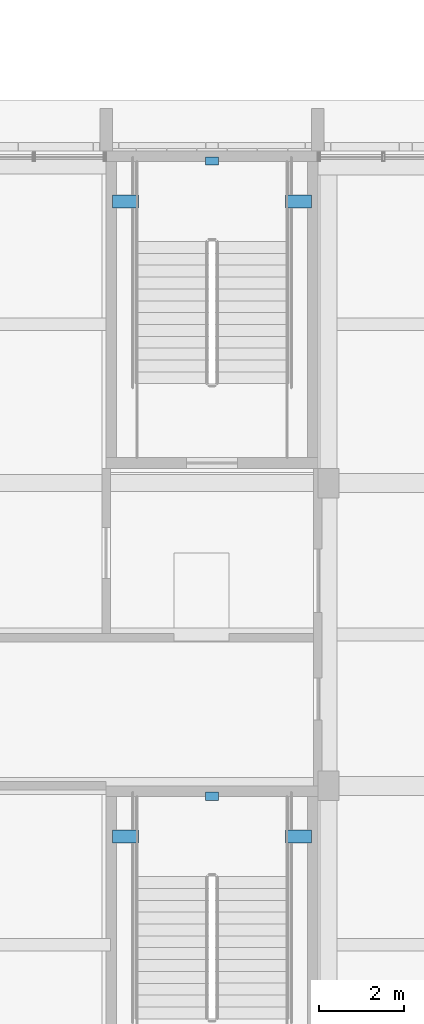
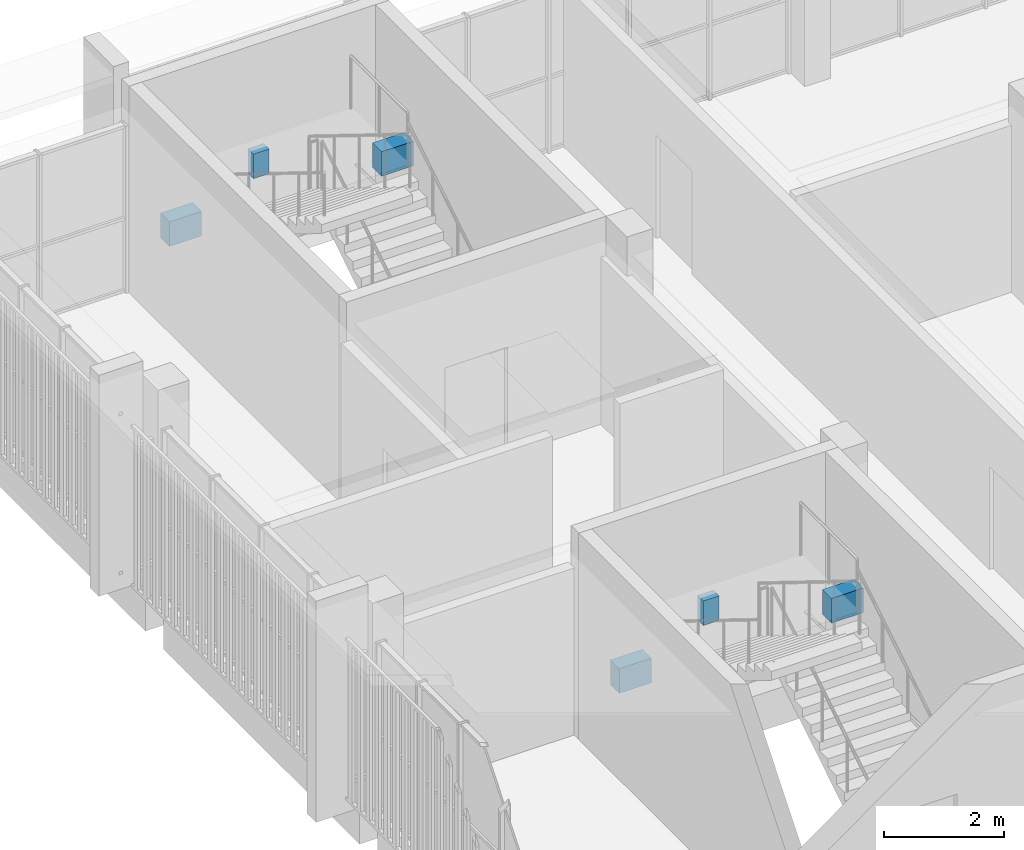
# One storey, part 42 of 98: 6 beams.
"""IFC4 building model written with IfcOpenShell, lengths in metres."""

import ifcopenshell
import ifcopenshell.guid

model = None  # the IFC model being written
_history = None  # IfcOwnerHistory: only IFC2X3 demands one
_inside = {}  # id of a spatial element -> (the spatial element, [elements in it])
_under = {}  # id of a project, library or spatial element -> (it, [spatial elements below it])
_declared = {}  # id of a project -> (the project, [libraries it declares])
_typed = {}  # id of a type object -> (the type object, [elements of that type])
_made_of = {}  # id of a material, layer set ... -> (it, [elements and type objects made of it])


def new_model(schema):
    """Start an empty IFC model of exactly this schema.

    Asked for "IFC4X3", IfcOpenShell would pick the latest addendum, in which some entities
    have other attributes; the version numbers below select the first issue.
    IFC2X3 requires an IfcOwnerHistory on every rooted entity: one is made here for all.
    """
    global model, _history
    if schema == "IFC4X3":
        model = ifcopenshell.file(schema_version=(4, 3, 0, 0))
    else:
        model = ifcopenshell.file(schema=schema)
    _inside.clear()
    _under.clear()
    _declared.clear()
    _typed.clear()
    _made_of.clear()
    _history = None
    if model.schema == "IFC2X3":
        org = make("IfcOrganization", Name="unknown")
        user = make(
            "IfcPersonAndOrganization",
            ThePerson=make("IfcPerson", FamilyName="unknown"),
            TheOrganization=org,
        )
        app = make(
            "IfcApplication",
            ApplicationDeveloper=org,
            Version="unknown",
            ApplicationFullName="unknown",
            ApplicationIdentifier="unknown",
        )
        _history = make(
            "IfcOwnerHistory",
            OwningUser=user,
            OwningApplication=app,
            ChangeAction="ADDED",
            CreationDate=0,
        )
    return model


def make(cls, **values):
    """One entity of the class cls with the attributes given. An attribute that is None is left unset."""
    return model.create_entity(
        cls, **{name: value for name, value in values.items() if value is not None}
    )


def rooted(cls, **values):
    """An entity with a GlobalId (a new one), such as an element, a storey or a relation."""
    return make(cls, GlobalId=ifcopenshell.guid.new(), OwnerHistory=_history, **values)


def si_unit(unit_type, name, prefix=None):
    """IfcSIUnit, for example si_unit("LENGTHUNIT", "METRE", prefix="MILLI")."""
    return make("IfcSIUnit", UnitType=unit_type, Prefix=prefix, Name=name)


def assignment(units):
    """IfcUnitAssignment: the units of a project."""
    return None if units is None else make("IfcUnitAssignment", Units=units)


def point(xyz):
    """IfcCartesianPoint."""
    return None if xyz is None else make("IfcCartesianPoint", Coordinates=xyz)


def direction(xyz):
    """IfcDirection."""
    return None if xyz is None else make("IfcDirection", DirectionRatios=xyz)


def frame(location, z_axis=None, x_axis=None):
    """IfcAxis2Placement3D, a coordinate frame: its origin and axes. An axis left out is left unset."""
    return make(
        "IfcAxis2Placement3D",
        Location=point(location),
        Axis=direction(z_axis),
        RefDirection=direction(x_axis),
    )


def frame_2d(location, x_axis=None):
    """IfcAxis2Placement2D, a coordinate frame in the plane: its origin and x axis."""
    return make(
        "IfcAxis2Placement2D", Location=point(location), RefDirection=direction(x_axis)
    )


def origin():
    """The frame at (0, 0, 0) with its axes left unset."""
    return frame((0.0, 0.0, 0.0))


def origin_2d():
    """The frame at (0, 0) in the plane with its x axis left unset."""
    return frame_2d((0.0, 0.0))


def place(relative_to, where):
    """IfcLocalPlacement: puts the frame where relative to a parent placement (None: the world)."""
    return make(
        "IfcLocalPlacement", PlacementRelTo=relative_to, RelativePlacement=where
    )


def context(
    kind, dimensions, precision=None, world=None, true_north=None, identifier=None
):
    """IfcGeometricRepresentationContext, for example the 3D "Model" context."""
    return make(
        "IfcGeometricRepresentationContext",
        ContextIdentifier=identifier,
        ContextType=kind,
        CoordinateSpaceDimension=dimensions,
        Precision=precision,
        WorldCoordinateSystem=world,
        TrueNorth=true_north,
    )


def subcontext(parent, identifier, kind, view, scale=None):
    """IfcGeometricRepresentationSubContext, for example "Body" below "Model"."""
    return make(
        "IfcGeometricRepresentationSubContext",
        ContextIdentifier=identifier,
        ContextType=kind,
        ParentContext=parent,
        TargetScale=scale,
        TargetView=view,
    )


def project(units=None, contexts=None):
    """IfcProject with its units and contexts."""
    return rooted(
        "IfcProject",
        Name="project",
        RepresentationContexts=contexts,
        UnitsInContext=assignment(units),
    )


def spatial(cls, under=None, at=None, **own):
    """A site, building, storey or space (cls), placed at a placement, below another one or the project."""
    s = rooted(cls, ObjectPlacement=at, **own)
    if under is not None:
        _under.setdefault(under.id(), (under, []))[1].append(s)
    return s


def profile(cls, at=None, kind="AREA", **sizes):
    """A parametric profile (cls). Its sizes go by their IFC names, for example OverallWidth=200.0."""
    return make(cls, ProfileType=kind, Position=at, **sizes)


def rectangle(**sizes):
    """IfcRectangleProfileDef."""
    return profile("IfcRectangleProfileDef", **sizes)


def extrude(swept, where, along, depth):
    """IfcExtrudedAreaSolid: the profile swept, set in the frame where, extruded along a direction by depth."""
    return make(
        "IfcExtrudedAreaSolid",
        SweptArea=swept,
        Position=where,
        ExtrudedDirection=direction(along),
        Depth=depth,
    )


def shape(context_of_items, identifier, shape_type, items):
    """IfcShapeRepresentation: the items that make up one representation, for example the "Body"."""
    return make(
        "IfcShapeRepresentation",
        ContextOfItems=context_of_items,
        RepresentationIdentifier=identifier,
        RepresentationType=shape_type,
        Items=items,
    )


def material(Name=None, Category=None):
    """IfcMaterial."""
    return make("IfcMaterial", Name=Name, Category=Category)


def material_profile(
    of_material, cross_section, Name=None, Category=None, Priority=None
):
    """IfcMaterialProfile: a cross section and its material."""
    return make(
        "IfcMaterialProfile",
        Name=Name,
        Material=of_material,
        Profile=cross_section,
        Priority=Priority,
        Category=Category,
    )


def profile_set(profiles, Name=None, composite=None):
    """IfcMaterialProfileSet."""
    return make(
        "IfcMaterialProfileSet",
        Name=Name,
        MaterialProfiles=profiles,
        CompositeProfile=composite,
    )


def made_of(thing, what):
    """Note that an element or type object is made of a material, layer set ...; save() writes the relation."""
    if what is not None:
        _made_of.setdefault(what.id(), (what, []))[1].append(thing)
    return thing


def type_object(cls, material=None, **own):
    """A type object (cls), such as IfcWallType, which elements share."""
    return made_of(rooted(cls, **own), material)


def element(
    cls,
    number,
    at=None,
    inside=None,
    cuts=None,
    type_object=None,
    material=None,
    context=None,
    identifier="Body",
    shape_type=None,
    held_by="IfcProductDefinitionShape",
    body=None,
    shapes=None,
    **own,
):
    """One element of the class cls, such as IfcWall. Its Tag is "e" and its number.

    at: its placement. inside: the storey or other place that contains it. cuts: it is an
    opening in that element (IfcRelVoidsElement). A single representation is given by context,
    identifier, shape_type and body (its items); several are given by shapes. held_by: the class
    of the entity that holds the representations. save() writes the other relations.
    """
    e = rooted(cls, Tag="e%d" % number, ObjectPlacement=at, **own)
    if body is not None:
        shapes = [shape(context, identifier, shape_type, body)]
    if shapes is not None:
        e.Representation = make(held_by, Representations=shapes)
    if inside is not None:
        _inside.setdefault(inside.id(), (inside, []))[1].append(e)
    if cuts is not None:
        rooted(
            "IfcRelVoidsElement", RelatingBuildingElement=cuts, RelatedOpeningElement=e
        )
    if type_object is not None:
        _typed.setdefault(type_object.id(), (type_object, []))[1].append(e)
    return made_of(e, material)


def aggregate(whole, parts):
    """IfcRelAggregates: a whole, such as a stair, and the parts it consists of."""
    return rooted("IfcRelAggregates", RelatingObject=whole, RelatedObjects=parts)


def save(model, path):
    """Write the relations noted so far, then the file.

    IfcRelAggregates (storeys below a building ...), IfcRelContainedInSpatialStructure (elements
    in a storey), IfcRelDefinesByType, IfcRelAssociatesMaterial and IfcRelDeclares: one each for
    every whole, place, type object, material and project.
    """
    for whole, parts in _under.values():
        aggregate(whole, parts)
    for where, things in _inside.values():
        rooted(
            "IfcRelContainedInSpatialStructure",
            RelatedElements=things,
            RelatingStructure=where,
        )
    for kind, things in _typed.values():
        rooted("IfcRelDefinesByType", RelatedObjects=things, RelatingType=kind)
    for what, things in _made_of.values():
        rooted("IfcRelAssociatesMaterial", RelatedObjects=things, RelatingMaterial=what)
    for by, libraries in _declared.values():
        rooted("IfcRelDeclares", RelatingContext=by, RelatedDefinitions=libraries)
    model.write(path)


model = new_model("IFC4")

# Units and contexts
model_context = context("Model", 3, precision=1e-05, world=origin(), true_north=direction((0.0, 1.0)))
body_context = subcontext(model_context, "Body", "Model", "MODEL_VIEW")
ifc_project = project(units=[si_unit("LENGTHUNIT", "METRE"), si_unit("AREAUNIT", "SQUARE_METRE"), si_unit("VOLUMEUNIT", "CUBIC_METRE"), si_unit("PLANEANGLEUNIT", "RADIAN"), si_unit("MASSUNIT", "GRAM", prefix="KILO")], contexts=[model_context])

# Site, building, storey
site_placement = place(None, origin())
site = spatial("IfcSite", under=ifc_project, at=site_placement, CompositionType="ELEMENT")
building_placement = place(site_placement, origin())
building = spatial("IfcBuilding", under=site, at=building_placement, Name="Sun Court Science Centre", CompositionType="ELEMENT")
storey_placement = place(building_placement, frame((0.0, 0.0, 15.75)))
storey = spatial("IfcBuildingStorey", under=building, at=storey_placement, Name="L03", CompositionType="ELEMENT", Elevation=15.75)

# Beams
ifc_material = material(Name="Concrete C25/30", Category="concrete")
ifc_material_profile = material_profile(ifc_material, rectangle(XDim=0.300048828125, YDim=0.5, at=origin_2d()), Name="RC 300x500")
ifc_profile_set = profile_set([ifc_material_profile], Name="Concrete C25/30")
beam_type = type_object("IfcBeamType", Name="RC landing trimmer 300x500", PredefinedType="BEAM", material=ifc_profile_set)
for number, where, z_axis, x_axis, name in (
    (1, (86.85009765625, 64.803955078125, 1.800048828125), (-1.0, 0.0, 0.0), (0.0, -1.0, 0.0), "SL3 landing 1 trimmer beam 22"),
    (2, (82.14990234375, 64.803955078125, 1.800048828125), (1.0, 0.0, 0.0), (0.0, 1.0, 0.0), "SL3 landing 1 trimmer beam 23"),
):
    element("IfcBeam", number, at=place(storey_placement, frame(where, z_axis=z_axis, x_axis=x_axis)), inside=storey, type_object=beam_type, Name=name, PredefinedType="BEAM", context=body_context, shape_type="SweptSolid", body=[
        extrude(rectangle(XDim=0.300048828125, YDim=0.5, at=origin_2d()), origin(), (0.0, 0.0, 1.0), 0.6171875),
    ])
beam_1_placement = place(storey_placement, frame((84.5, 65.85009765625, 1.800048828125), z_axis=(0.0, -1.0, 0.0), x_axis=(1.0, 0.0, 0.0)))
element("IfcBeam", 3, at=beam_1_placement, inside=storey, type_object=beam_type, Name="SL3 landing 1 trimmer beam 24", PredefinedType="BEAM", context=body_context, shape_type="SweptSolid", body=[
    extrude(rectangle(XDim=0.300048828125, YDim=0.5, at=origin_2d()), origin(), (0.0, 0.0, 1.0), 0.190185546875),
])
for number, where, z_axis, x_axis, name in (
    (4, (86.85009765625, 79.803955078125, 1.800048828125), (-1.0, 0.0, 0.0), (0.0, -1.0, 0.0), "SL4 landing 1 trimmer beam 22"),
    (5, (82.14990234375, 79.803955078125, 1.800048828125), (1.0, 0.0, 0.0), (0.0, 1.0, 0.0), "SL4 landing 1 trimmer beam 23"),
):
    element("IfcBeam", number, at=place(storey_placement, frame(where, z_axis=z_axis, x_axis=x_axis)), inside=storey, type_object=beam_type, Name=name, PredefinedType="BEAM", context=body_context, shape_type="SweptSolid", body=[
        extrude(rectangle(XDim=0.300048828125, YDim=0.5, at=origin_2d()), origin(), (0.0, 0.0, 1.0), 0.6171875),
    ])
beam_2_placement = place(storey_placement, frame((84.5, 80.85009765625, 1.800048828125), z_axis=(0.0, -1.0, 0.0), x_axis=(1.0, 0.0, 0.0)))
element("IfcBeam", 6, at=beam_2_placement, inside=storey, type_object=beam_type, Name="SL4 landing 1 trimmer beam 24", PredefinedType="BEAM", context=body_context, shape_type="SweptSolid", body=[
    extrude(rectangle(XDim=0.300048828125, YDim=0.5, at=origin_2d()), origin(), (0.0, 0.0, 1.0), 0.190185546875),
])

save(model, "model.ifc")
